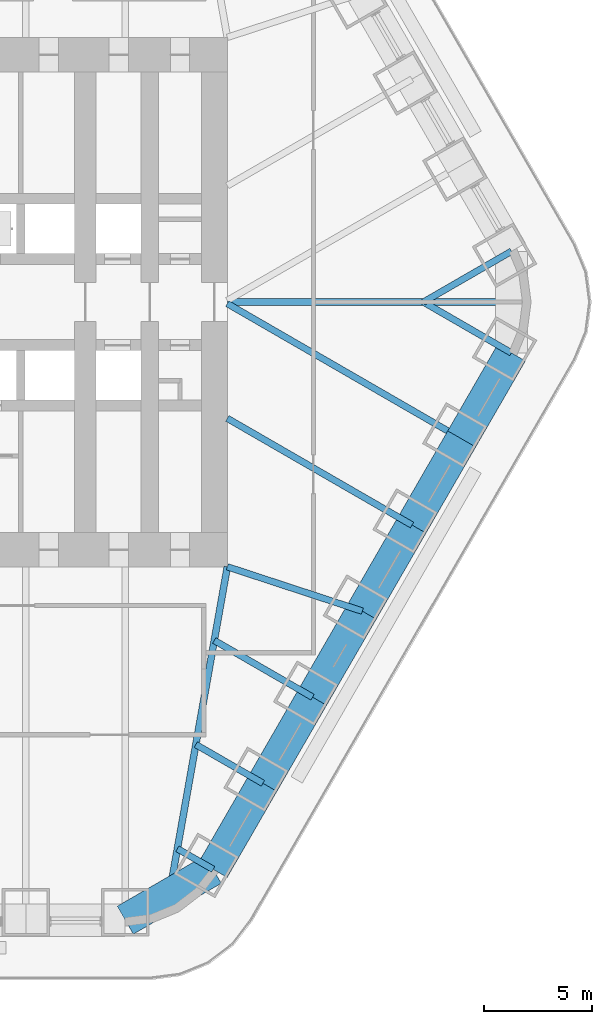
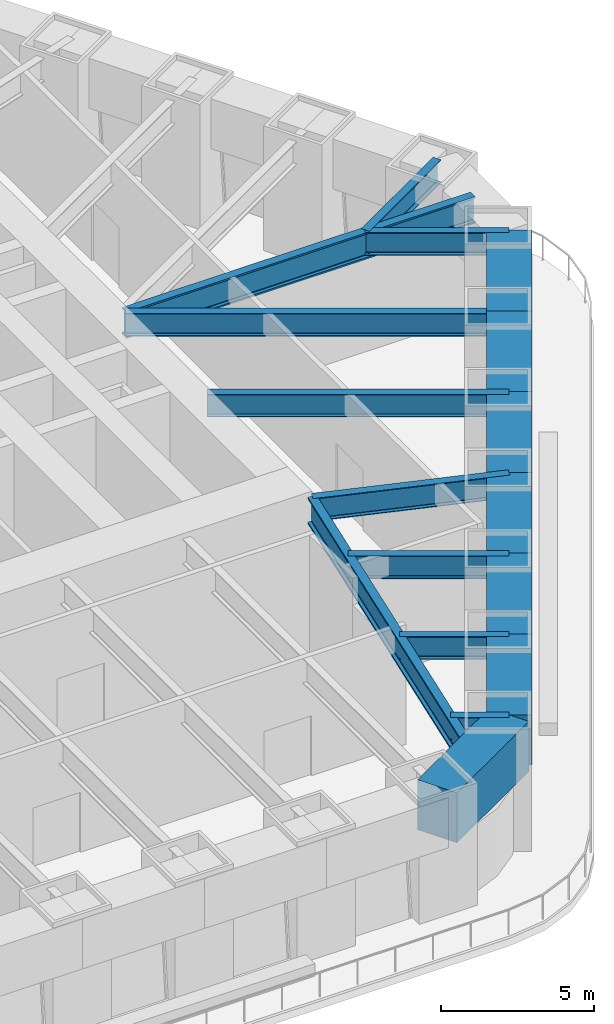
# One storey, part 3 of 15: 17 beams.
"""IFC4 building model written with IfcOpenShell, lengths in metres."""

import ifcopenshell
import ifcopenshell.guid

model = None  # the IFC model being written
_history = None  # IfcOwnerHistory: only IFC2X3 demands one
_inside = {}  # id of a spatial element -> (the spatial element, [elements in it])
_under = {}  # id of a project, library or spatial element -> (it, [spatial elements below it])
_declared = {}  # id of a project -> (the project, [libraries it declares])
_typed = {}  # id of a type object -> (the type object, [elements of that type])
_made_of = {}  # id of a material, layer set ... -> (it, [elements and type objects made of it])


def new_model(schema):
    """Start an empty IFC model of exactly this schema.

    Asked for "IFC4X3", IfcOpenShell would pick the latest addendum, in which some entities
    have other attributes; the version numbers below select the first issue.
    IFC2X3 requires an IfcOwnerHistory on every rooted entity: one is made here for all.
    """
    global model, _history
    if schema == "IFC4X3":
        model = ifcopenshell.file(schema_version=(4, 3, 0, 0))
    else:
        model = ifcopenshell.file(schema=schema)
    _inside.clear()
    _under.clear()
    _declared.clear()
    _typed.clear()
    _made_of.clear()
    _history = None
    if model.schema == "IFC2X3":
        org = make("IfcOrganization", Name="unknown")
        user = make(
            "IfcPersonAndOrganization",
            ThePerson=make("IfcPerson", FamilyName="unknown"),
            TheOrganization=org,
        )
        app = make(
            "IfcApplication",
            ApplicationDeveloper=org,
            Version="unknown",
            ApplicationFullName="unknown",
            ApplicationIdentifier="unknown",
        )
        _history = make(
            "IfcOwnerHistory",
            OwningUser=user,
            OwningApplication=app,
            ChangeAction="ADDED",
            CreationDate=0,
        )
    return model


def make(cls, **values):
    """One entity of the class cls with the attributes given. An attribute that is None is left unset."""
    return model.create_entity(
        cls, **{name: value for name, value in values.items() if value is not None}
    )


def rooted(cls, **values):
    """An entity with a GlobalId (a new one), such as an element, a storey or a relation."""
    return make(cls, GlobalId=ifcopenshell.guid.new(), OwnerHistory=_history, **values)


def si_unit(unit_type, name, prefix=None):
    """IfcSIUnit, for example si_unit("LENGTHUNIT", "METRE", prefix="MILLI")."""
    return make("IfcSIUnit", UnitType=unit_type, Prefix=prefix, Name=name)


def assignment(units):
    """IfcUnitAssignment: the units of a project."""
    return None if units is None else make("IfcUnitAssignment", Units=units)


def point(xyz):
    """IfcCartesianPoint."""
    return None if xyz is None else make("IfcCartesianPoint", Coordinates=xyz)


def direction(xyz):
    """IfcDirection."""
    return None if xyz is None else make("IfcDirection", DirectionRatios=xyz)


def frame(location, z_axis=None, x_axis=None):
    """IfcAxis2Placement3D, a coordinate frame: its origin and axes. An axis left out is left unset."""
    return make(
        "IfcAxis2Placement3D",
        Location=point(location),
        Axis=direction(z_axis),
        RefDirection=direction(x_axis),
    )


def frame_2d(location, x_axis=None):
    """IfcAxis2Placement2D, a coordinate frame in the plane: its origin and x axis."""
    return make(
        "IfcAxis2Placement2D", Location=point(location), RefDirection=direction(x_axis)
    )


def origin():
    """The frame at (0, 0, 0) with its axes left unset."""
    return frame((0.0, 0.0, 0.0))


def origin_2d():
    """The frame at (0, 0) in the plane with its x axis left unset."""
    return frame_2d((0.0, 0.0))


def place(relative_to, where):
    """IfcLocalPlacement: puts the frame where relative to a parent placement (None: the world)."""
    return make(
        "IfcLocalPlacement", PlacementRelTo=relative_to, RelativePlacement=where
    )


def context(
    kind, dimensions, precision=None, world=None, true_north=None, identifier=None
):
    """IfcGeometricRepresentationContext, for example the 3D "Model" context."""
    return make(
        "IfcGeometricRepresentationContext",
        ContextIdentifier=identifier,
        ContextType=kind,
        CoordinateSpaceDimension=dimensions,
        Precision=precision,
        WorldCoordinateSystem=world,
        TrueNorth=true_north,
    )


def subcontext(parent, identifier, kind, view, scale=None):
    """IfcGeometricRepresentationSubContext, for example "Body" below "Model"."""
    return make(
        "IfcGeometricRepresentationSubContext",
        ContextIdentifier=identifier,
        ContextType=kind,
        ParentContext=parent,
        TargetScale=scale,
        TargetView=view,
    )


def project(units=None, contexts=None):
    """IfcProject with its units and contexts."""
    return rooted(
        "IfcProject",
        Name="project",
        RepresentationContexts=contexts,
        UnitsInContext=assignment(units),
    )


def spatial(cls, under=None, at=None, **own):
    """A site, building, storey or space (cls), placed at a placement, below another one or the project."""
    s = rooted(cls, ObjectPlacement=at, **own)
    if under is not None:
        _under.setdefault(under.id(), (under, []))[1].append(s)
    return s


def profile(cls, at=None, kind="AREA", **sizes):
    """A parametric profile (cls). Its sizes go by their IFC names, for example OverallWidth=200.0."""
    return make(cls, ProfileType=kind, Position=at, **sizes)


def rectangle(**sizes):
    """IfcRectangleProfileDef."""
    return profile("IfcRectangleProfileDef", **sizes)


def i_section(**sizes):
    """IfcIShapeProfileDef."""
    return profile("IfcIShapeProfileDef", **sizes)


def extrude(swept, where, along, depth):
    """IfcExtrudedAreaSolid: the profile swept, set in the frame where, extruded along a direction by depth."""
    return make(
        "IfcExtrudedAreaSolid",
        SweptArea=swept,
        Position=where,
        ExtrudedDirection=direction(along),
        Depth=depth,
    )


def shape(context_of_items, identifier, shape_type, items):
    """IfcShapeRepresentation: the items that make up one representation, for example the "Body"."""
    return make(
        "IfcShapeRepresentation",
        ContextOfItems=context_of_items,
        RepresentationIdentifier=identifier,
        RepresentationType=shape_type,
        Items=items,
    )


def material(Name=None, Category=None):
    """IfcMaterial."""
    return make("IfcMaterial", Name=Name, Category=Category)


def material_profile(
    of_material, cross_section, Name=None, Category=None, Priority=None
):
    """IfcMaterialProfile: a cross section and its material."""
    return make(
        "IfcMaterialProfile",
        Name=Name,
        Material=of_material,
        Profile=cross_section,
        Priority=Priority,
        Category=Category,
    )


def profile_set(profiles, Name=None, composite=None):
    """IfcMaterialProfileSet."""
    return make(
        "IfcMaterialProfileSet",
        Name=Name,
        MaterialProfiles=profiles,
        CompositeProfile=composite,
    )


def made_of(thing, what):
    """Note that an element or type object is made of a material, layer set ...; save() writes the relation."""
    if what is not None:
        _made_of.setdefault(what.id(), (what, []))[1].append(thing)
    return thing


def type_object(cls, material=None, **own):
    """A type object (cls), such as IfcWallType, which elements share."""
    return made_of(rooted(cls, **own), material)


def element(
    cls,
    number,
    at=None,
    inside=None,
    cuts=None,
    type_object=None,
    material=None,
    context=None,
    identifier="Body",
    shape_type=None,
    held_by="IfcProductDefinitionShape",
    body=None,
    shapes=None,
    **own,
):
    """One element of the class cls, such as IfcWall. Its Tag is "e" and its number.

    at: its placement. inside: the storey or other place that contains it. cuts: it is an
    opening in that element (IfcRelVoidsElement). A single representation is given by context,
    identifier, shape_type and body (its items); several are given by shapes. held_by: the class
    of the entity that holds the representations. save() writes the other relations.
    """
    e = rooted(cls, Tag="e%d" % number, ObjectPlacement=at, **own)
    if body is not None:
        shapes = [shape(context, identifier, shape_type, body)]
    if shapes is not None:
        e.Representation = make(held_by, Representations=shapes)
    if inside is not None:
        _inside.setdefault(inside.id(), (inside, []))[1].append(e)
    if cuts is not None:
        rooted(
            "IfcRelVoidsElement", RelatingBuildingElement=cuts, RelatedOpeningElement=e
        )
    if type_object is not None:
        _typed.setdefault(type_object.id(), (type_object, []))[1].append(e)
    return made_of(e, material)


def aggregate(whole, parts):
    """IfcRelAggregates: a whole, such as a stair, and the parts it consists of."""
    return rooted("IfcRelAggregates", RelatingObject=whole, RelatedObjects=parts)


def save(model, path):
    """Write the relations noted so far, then the file.

    IfcRelAggregates (storeys below a building ...), IfcRelContainedInSpatialStructure (elements
    in a storey), IfcRelDefinesByType, IfcRelAssociatesMaterial and IfcRelDeclares: one each for
    every whole, place, type object, material and project.
    """
    for whole, parts in _under.values():
        aggregate(whole, parts)
    for where, things in _inside.values():
        rooted(
            "IfcRelContainedInSpatialStructure",
            RelatedElements=things,
            RelatingStructure=where,
        )
    for kind, things in _typed.values():
        rooted("IfcRelDefinesByType", RelatedObjects=things, RelatingType=kind)
    for what, things in _made_of.values():
        rooted("IfcRelAssociatesMaterial", RelatedObjects=things, RelatingMaterial=what)
    for by, libraries in _declared.values():
        rooted("IfcRelDeclares", RelatingContext=by, RelatedDefinitions=libraries)
    model.write(path)


model = new_model("IFC4")

# Units and contexts
model_context = context("Model", 3, precision=1e-05, world=origin(), true_north=direction((0.0, 1.0)))
body_context = subcontext(model_context, "Body", "Model", "MODEL_VIEW")
ifc_project = project(units=[si_unit("LENGTHUNIT", "METRE"), si_unit("AREAUNIT", "SQUARE_METRE"), si_unit("VOLUMEUNIT", "CUBIC_METRE"), si_unit("PLANEANGLEUNIT", "RADIAN"), si_unit("MASSUNIT", "GRAM", prefix="KILO")], contexts=[model_context])

# Site, building, storey
site_placement = place(None, origin())
site = spatial("IfcSite", under=ifc_project, at=site_placement, CompositionType="ELEMENT")
building_placement = place(site_placement, origin())
building = spatial("IfcBuilding", under=site, at=building_placement, Name="Tarfa Lantern Tower", CompositionType="ELEMENT")
storey_placement = place(building_placement, frame((0.0, 0.0, 210.5)))
storey = spatial("IfcBuildingStorey", under=building, at=storey_placement, Name="L47", CompositionType="ELEMENT", Elevation=210.5)

# Beams
ifc_material_1 = material(Name="Concrete C80/95", Category="concrete")
ifc_material_profile_1 = material_profile(ifc_material_1, rectangle(XDim=1.5, YDim=2.0, at=origin_2d()), Name="RC 1500x2000")
ifc_profile_set_1 = profile_set([ifc_material_profile_1], Name="Concrete C80/95")
beam_type_1 = type_object("IfcBeamType", Name="RB3 RC 1500x2000", PredefinedType="BEAM", material=ifc_profile_set_1)
beam_1_placement = place(storey_placement, frame((13.8564453125, -28.719970703125, 3.800048828125), z_axis=(0.866038294681, 0.499977671647, 0.0), x_axis=(-0.499977671647, 0.866038294681, 0.0)))
element("IfcBeam", 1, at=beam_1_placement, inside=storey, type_object=beam_type_1, Name="Edge beam S6", PredefinedType="BEAM", context=body_context, shape_type="SweptSolid", body=[
    extrude(rectangle(XDim=1.5, YDim=2.0, at=origin_2d()), origin(), (0.0, 0.0, 1.0), 4.719970703125),
])
for number, where, z_axis, x_axis, name in (
    (2, (17.944091796875, -26.360107421875, 3.800048828125), (0.499987836815, 0.866032426089, 0.0), (-0.866032426089, 0.499987836815, 0.0), "Edge beam SE0"),
    (3, (20.25341796875, -22.360107421875, 3.800048828125), (0.499987836815, 0.866032426089, 0.0), (-0.866032426089, 0.499987836815, 0.0), "Edge beam SE1"),
):
    element("IfcBeam", number, at=place(storey_placement, frame(where, z_axis=z_axis, x_axis=x_axis)), inside=storey, type_object=beam_type_1, Name=name, PredefinedType="BEAM", context=body_context, shape_type="SweptSolid", body=[
        extrude(rectangle(XDim=1.5, YDim=2.0, at=origin_2d()), origin(), (0.0, 0.0, 1.0), 4.61865234375),
    ])
beam_2_placement = place(storey_placement, frame((22.562744140625, -18.360107421875, 3.800048828125), z_axis=(0.500027479704, 0.866009537788, 0.0), x_axis=(-0.866009537788, 0.500027479704, 0.0)))
element("IfcBeam", 4, at=beam_2_placement, inside=storey, type_object=beam_type_1, Name="Edge beam SE2", PredefinedType="BEAM", context=body_context, shape_type="SweptSolid", body=[
    extrude(rectangle(XDim=1.5, YDim=2.0, at=origin_2d()), origin(), (0.0, 0.0, 1.0), 4.618896484375),
])
for number, where, z_axis, x_axis, name in (
    (5, (24.872314453125, -14.360107421875, 3.800048828125), (0.499987836815, 0.866032426089, 0.0), (-0.866032426089, 0.499987836815, 0.0), "Edge beam SE3"),
    (6, (27.181640625, -10.360107421875, 3.800048828125), (0.499987836815, 0.866032426089, 0.0), (-0.866032426089, 0.499987836815, 0.0), "Edge beam SE4"),
):
    element("IfcBeam", number, at=place(storey_placement, frame(where, z_axis=z_axis, x_axis=x_axis)), inside=storey, type_object=beam_type_1, Name=name, PredefinedType="BEAM", context=body_context, shape_type="SweptSolid", body=[
        extrude(rectangle(XDim=1.5, YDim=2.0, at=origin_2d()), origin(), (0.0, 0.0, 1.0), 4.61865234375),
    ])
beam_3_placement = place(storey_placement, frame((29.490966796875, -6.360107421875, 3.800048828125), z_axis=(0.500027479704, 0.866009537788, 0.0), x_axis=(-0.866009537788, 0.500027479704, 0.0)))
element("IfcBeam", 7, at=beam_3_placement, inside=storey, type_object=beam_type_1, Name="Edge beam SE5", PredefinedType="BEAM", context=body_context, shape_type="SweptSolid", body=[
    extrude(rectangle(XDim=1.5, YDim=2.0, at=origin_2d()), origin(), (0.0, 0.0, 1.0), 4.618896484375),
])
ifc_material_2 = material(Name="Steel S460M", Category="steel")
ifc_material_profile_2 = material_profile(ifc_material_2, i_section(OverallWidth=0.314208984375, OverallDepth=1.055908203125, WebThickness=0.035888671875, FlangeThickness=0.06396484375, FilletRadius=0.030029296875, at=origin_2d()), Name="UB1016x305x584")
ifc_profile_set_2 = profile_set([ifc_material_profile_2], Name="Steel S460M")
beam_type_2 = type_object("IfcBeamType", Name="UB1016x305x584", PredefinedType="BEAM", material=ifc_profile_set_2)
beam_4_placement = place(storey_placement, frame((18.60009765625, 0.0, 4.27197265625), z_axis=(1.0, 0.0, 0.0), x_axis=(0.0, 1.0, 0.0)))
element("IfcBeam", 8, at=beam_4_placement, inside=storey, type_object=beam_type_2, Name="Hip girder E", PredefinedType="BEAM", context=body_context, shape_type="SweptSolid", body=[
    extrude(i_section(OverallWidth=0.314208984375, OverallDepth=1.055908203125, WebThickness=0.035888671875, FlangeThickness=0.06396484375, FilletRadius=0.030029296875, at=origin_2d()), origin(), (0.0, 0.0, 1.0), 13.200439453125),
])
beam_5_placement = place(storey_placement, frame((18.60009765625, -12.300048828125, 4.27197265625), z_axis=(-0.174445795648, -0.984666778347, 0.0), x_axis=(0.984666778347, -0.174445795648, 0.0)))
element("IfcBeam", 9, at=beam_5_placement, inside=storey, type_object=beam_type_2, Name="Hip girder SE", PredefinedType="BEAM", context=body_context, shape_type="SweptSolid", body=[
    extrude(i_section(OverallWidth=0.314208984375, OverallDepth=1.055908203125, WebThickness=0.035888671875, FlangeThickness=0.06396484375, FilletRadius=0.030029296875, at=origin_2d()), origin(), (0.0, 0.0, 1.0), 15.477294921875),
])
ifc_material_profile_3 = material_profile(ifc_material_2, i_section(OverallWidth=0.305419921875, OverallDepth=0.91845703125, WebThickness=0.017333984375, FlangeThickness=0.02783203125, FilletRadius=0.01904296875, at=origin_2d()), Name="UB914x305x253")
ifc_profile_set_3 = profile_set([ifc_material_profile_3], Name="Steel S460M")
beam_type_3 = type_object("IfcBeamType", Name="UB914x305x253", PredefinedType="BEAM", material=ifc_profile_set_3)
beam_6_placement = place(storey_placement, frame((31.800537109375, 2.360107421875, 4.3408203125), z_axis=(-0.866015897305, -0.500016465344, 0.0), x_axis=(0.500016465344, -0.866015897305, 0.0)))
element("IfcBeam", 10, at=beam_6_placement, inside=storey, type_object=beam_type_3, Name="Floor beam NE0", PredefinedType="BEAM", context=body_context, shape_type="SweptSolid", body=[
    extrude(i_section(OverallWidth=0.305419921875, OverallDepth=0.91845703125, WebThickness=0.017333984375, FlangeThickness=0.02783203125, FilletRadius=0.01904296875, at=origin_2d()), origin(), (0.0, 0.0, 1.0), 4.719970703125),
])
beam_7_placement = place(storey_placement, frame((17.944091796875, -26.360107421875, 4.3408203125), z_axis=(-0.865990979626, 0.500059619652, 0.0), x_axis=(-0.500059619652, -0.865990979626, 0.0)))
element("IfcBeam", 11, at=beam_7_placement, inside=storey, type_object=beam_type_3, Name="Floor beam SE0", PredefinedType="BEAM", context=body_context, shape_type="SweptSolid", body=[
    extrude(i_section(OverallWidth=0.305419921875, OverallDepth=0.91845703125, WebThickness=0.017333984375, FlangeThickness=0.02783203125, FilletRadius=0.01904296875, at=origin_2d()), origin(), (0.0, 0.0, 1.0), 1.922119140625),
])
beam_8_placement = place(storey_placement, frame((20.25341796875, -22.360107421875, 4.3408203125), z_axis=(-0.866009351323, 0.500027802648, 0.0), x_axis=(-0.500027802648, -0.866009351323, 0.0)))
element("IfcBeam", 12, at=beam_8_placement, inside=storey, type_object=beam_type_3, Name="Floor beam SE1", PredefinedType="BEAM", context=body_context, shape_type="SweptSolid", body=[
    extrude(i_section(OverallWidth=0.305419921875, OverallDepth=0.91845703125, WebThickness=0.017333984375, FlangeThickness=0.02783203125, FilletRadius=0.01904296875, at=origin_2d()), origin(), (0.0, 0.0, 1.0), 3.598876953125),
])
beam_9_placement = place(storey_placement, frame((22.562744140625, -18.360107421875, 4.3408203125), z_axis=(-0.866016044516, 0.500016210377, 0.0), x_axis=(-0.500016210377, -0.866016044516, 0.0)))
element("IfcBeam", 13, at=beam_9_placement, inside=storey, type_object=beam_type_3, Name="Floor beam SE2", PredefinedType="BEAM", context=body_context, shape_type="SweptSolid", body=[
    extrude(i_section(OverallWidth=0.305419921875, OverallDepth=0.91845703125, WebThickness=0.017333984375, FlangeThickness=0.02783203125, FilletRadius=0.01904296875, at=origin_2d()), origin(), (0.0, 0.0, 1.0), 5.275634765625),
])
beam_10_placement = place(storey_placement, frame((24.872314453125, -14.360107421875, 4.3408203125), z_axis=(-0.950068246314, 0.312042188408, 0.0), x_axis=(-0.312042188408, -0.950068246314, 0.0)))
element("IfcBeam", 14, at=beam_10_placement, inside=storey, type_object=beam_type_3, Name="Floor beam SE3", PredefinedType="BEAM", context=body_context, shape_type="SweptSolid", body=[
    extrude(i_section(OverallWidth=0.305419921875, OverallDepth=0.91845703125, WebThickness=0.017333984375, FlangeThickness=0.02783203125, FilletRadius=0.01904296875, at=origin_2d()), origin(), (0.0, 0.0, 1.0), 6.601806640625),
])
beam_11_placement = place(storey_placement, frame((27.181640625, -10.360107421875, 4.3408203125), z_axis=(-0.866013262469, 0.500021028785, 0.0), x_axis=(-0.500021028785, -0.866013262469, 0.0)))
element("IfcBeam", 15, at=beam_11_placement, inside=storey, type_object=beam_type_3, Name="Floor beam SE4", PredefinedType="BEAM", context=body_context, shape_type="SweptSolid", body=[
    extrude(i_section(OverallWidth=0.305419921875, OverallDepth=0.91845703125, WebThickness=0.017333984375, FlangeThickness=0.02783203125, FilletRadius=0.01904296875, at=origin_2d()), origin(), (0.0, 0.0, 1.0), 9.9091796875),
])
beam_12_placement = place(storey_placement, frame((29.490966796875, -6.360107421875, 4.3408203125), z_axis=(-0.866017150015, 0.500014295675, 0.0), x_axis=(-0.500014295675, -0.866017150015, 0.0)))
element("IfcBeam", 16, at=beam_12_placement, inside=storey, type_object=beam_type_3, Name="Floor beam SE5", PredefinedType="BEAM", context=body_context, shape_type="SweptSolid", body=[
    extrude(i_section(OverallWidth=0.305419921875, OverallDepth=0.91845703125, WebThickness=0.017333984375, FlangeThickness=0.02783203125, FilletRadius=0.01904296875, at=origin_2d()), origin(), (0.0, 0.0, 1.0), 12.575927734375),
])
beam_13_placement = place(storey_placement, frame((31.800537109375, -2.360107421875, 4.3408203125), z_axis=(-0.866015897305, 0.500016465344, 0.0), x_axis=(-0.500016465344, -0.866015897305, 0.0)))
element("IfcBeam", 17, at=beam_13_placement, inside=storey, type_object=beam_type_3, Name="Floor beam SE6", PredefinedType="BEAM", context=body_context, shape_type="SweptSolid", body=[
    extrude(i_section(OverallWidth=0.305419921875, OverallDepth=0.91845703125, WebThickness=0.017333984375, FlangeThickness=0.02783203125, FilletRadius=0.01904296875, at=origin_2d()), origin(), (0.0, 0.0, 1.0), 4.719970703125),
])

save(model, "model.ifc")
